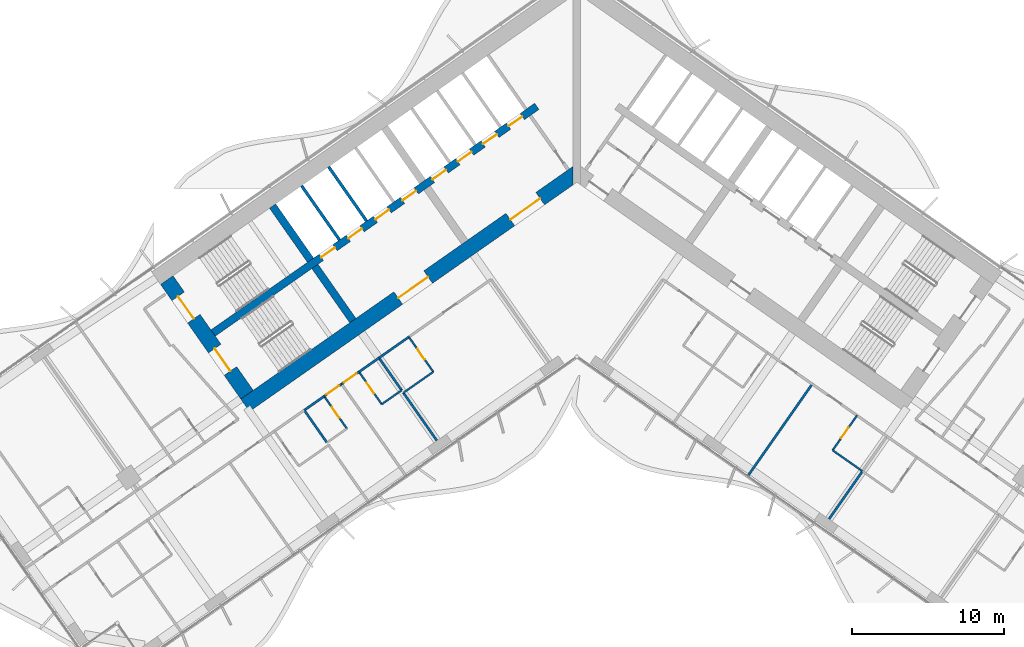
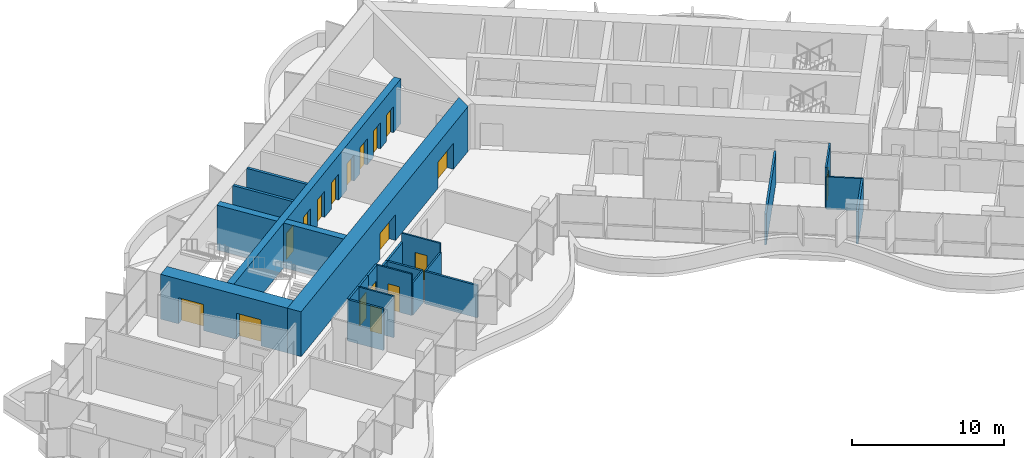
# One storey, part 13 of 23: 24 walls, 18 doors, 18 openings.
"""IFC4 building model written with IfcOpenShell, lengths in metres."""

from ifc_helpers import new_model, si_unit, direction, frame, frame_2d, origin, place, context, subcontext, project, spatial, polyline, rectangle, outline, extrude, material, layer, layer_set, type_object, element, fill, save


model = new_model("IFC4")

# Units and contexts
model_context = context("Model", 3, precision=1e-05, world=origin(), true_north=direction((0.0, 1.0)))
body_context = subcontext(model_context, "Body", "Model", "MODEL_VIEW")
ifc_project = project(units=[si_unit("LENGTHUNIT", "METRE"), si_unit("AREAUNIT", "SQUARE_METRE"), si_unit("VOLUMEUNIT", "CUBIC_METRE"), si_unit("PLANEANGLEUNIT", "RADIAN"), si_unit("MASSUNIT", "GRAM", prefix="KILO")], contexts=[model_context])

# Site, building, storey
site_placement = place(None, origin())
site = spatial("IfcSite", under=ifc_project, at=site_placement, CompositionType="ELEMENT")
building_placement = place(site_placement, origin())
building = spatial("IfcBuilding", under=site, at=building_placement, Name="Tel Ilan Convention Tower", CompositionType="ELEMENT")
storey_placement = place(building_placement, frame((0.0, 0.0, 108.5)))
storey = spatial("IfcBuildingStorey", under=building, at=storey_placement, Name="L23", CompositionType="ELEMENT", Elevation=108.5)

# Wall, openings, doors
ifc_material_1 = material(Name="Concrete C60/75", Category="concrete")
ifc_layer_1 = layer(ifc_material_1, 1.0)
ifc_layer_set_1 = layer_set([ifc_layer_1], Name="Core Shear Wall 1000 mm C60/75")
wall_type_1 = type_object("IfcWallType", Name="Core Shear Wall 1000 mm C60/75", PredefinedType="SHEAR", material=ifc_layer_set_1)
wall_1_placement = place(storey_placement, frame((0.036865234375, -0.584716796875, 0.0), z_axis=(0.0, 0.0, 1.0), x_axis=(-0.819157152511, -0.573569140985, 0.0)))
wall_1 = element("IfcWall", 1, at=wall_1_placement, inside=storey, type_object=wall_type_1, Name="L23 core wall W-front", PredefinedType="SHEAR", context=body_context, shape_type="SweptSolid", body=[
    extrude(outline(polyline([(26.69482421875, 0.500244140625), (0.7001953125, 0.499755859375), (0.0, -0.5), (26.69482421875, -0.499755859375), (26.69482421875, 0.500244140625)])), origin(), (0.0, 0.0, 1.0), 3.60009765625),
])
opening_1_placement = place(wall_1_placement, frame((2.994873046875, 0.0, 0.0)))
opening_1 = element("IfcOpeningElement", 2, at=opening_1_placement, cuts=wall_1, Name="Opening CD1905", PredefinedType="OPENING", context=body_context, shape_type="SweptSolid", body=[
    extrude(rectangle(XDim=2.39990234375, YDim=2.10009765625, at=frame_2d((1.199951171875, 1.050048828125))), frame((0.0, 0.510009765625, 0.0), z_axis=(0.0, -1.0, 0.0), x_axis=(1.0, 0.0, 0.0)), (0.0, 0.0, 1.0), 1.02001953125),
])
opening_2_placement = place(wall_1_placement, frame((11.994873046875, 0.0, 0.0)))
opening_2 = element("IfcOpeningElement", 3, at=opening_2_placement, cuts=wall_1, Name="Opening CD1906", PredefinedType="OPENING", context=body_context, shape_type="SweptSolid", body=[
    extrude(rectangle(XDim=2.39990234375, YDim=2.10009765625, at=frame_2d((1.199951171875, 1.050048828125))), frame((0.0, 0.510009765625, 0.0), z_axis=(0.0, -1.0, 0.0), x_axis=(1.0, 0.0, 0.0)), (0.0, 0.0, 1.0), 1.02001953125),
])
ifc_material_2 = material(Name="Glazed Aluminium Door Leaf", Category="aluminium")
door_type_1 = type_object("IfcDoorType", Name="Lobby Opening Door 2400 x 2100 FD60S", OperationType="NOTDEFINED", PredefinedType="DOOR", material=ifc_material_2)
door_1_placement = place(opening_1_placement, origin())
door_1 = element("IfcDoor", 4, at=door_1_placement, inside=storey, type_object=door_type_1, Name="Lift Lobby LR1-LR4 opening", OperationType="DOUBLE_DOOR_SINGLE_SWING", OverallHeight=2.10009765625, OverallWidth=2.39990234375, PredefinedType="DOOR", context=body_context, shape_type="SweptSolid", body=[
    extrude(rectangle(XDim=2.39990234375, YDim=2.10009765625, at=frame_2d((1.199951171875, 1.050048828125))), frame((0.0, 0.02490234375, 0.0), z_axis=(0.0, -1.0, 0.0), x_axis=(1.0, 0.0, 0.0)), (0.0, 0.0, 1.0), 0.050048828125),
])
fill(opening_1, door_1)
door_2_placement = place(opening_2_placement, origin())
door_2 = element("IfcDoor", 5, at=door_2_placement, inside=storey, type_object=door_type_1, Name="Lift Lobby LR5-LR8 opening", OperationType="DOUBLE_DOOR_SINGLE_SWING", OverallHeight=2.10009765625, OverallWidth=2.39990234375, PredefinedType="DOOR", context=body_context, shape_type="SweptSolid", body=[
    extrude(rectangle(XDim=2.39990234375, YDim=2.10009765625, at=frame_2d((1.199951171875, 1.050048828125))), frame((0.0, 0.02490234375, 0.0), z_axis=(0.0, -1.0, 0.0), x_axis=(1.0, 0.0, 0.0)), (0.0, 0.0, 1.0), 0.050048828125),
])
fill(opening_2, door_2)

wall_2_placement = place(storey_placement, frame((-21.70751953125, -15.19970703125, 0.0), z_axis=(0.0, 0.0, 1.0), x_axis=(-0.573576324356, 0.819152122709, 0.0)))
wall_2 = element("IfcWall", 6, at=wall_2_placement, inside=storey, type_object=wall_type_1, Name="L23 core wall W-end", PredefinedType="SHEAR", context=body_context, shape_type="SweptSolid", body=[
    extrude(outline(polyline([(0.0, 0.5), (0.0, -0.5), (9.199951171875, -0.5), (9.199951171875, 0.5), (0.0, 0.5)])), origin(), (0.0, 0.0, 1.0), 3.60009765625),
])
opening_3_placement = place(wall_2_placement, frame((6.10009765625, 0.0, 0.0)))
opening_3 = element("IfcOpeningElement", 7, at=opening_3_placement, cuts=wall_2, Name="Opening SD1901", PredefinedType="OPENING", context=body_context, shape_type="SweptSolid", body=[
    extrude(rectangle(XDim=1.800048828125, YDim=2.10009765625, at=frame_2d((0.89990234375, 1.050048828125))), frame((0.0, 0.510009765625, 0.0), z_axis=(0.0, -1.0, 0.0), x_axis=(1.0, 0.0, 0.0)), (0.0, 0.0, 1.0), 1.02001953125),
])
opening_4_placement = place(wall_2_placement, frame((1.89990234375, 0.0, 0.0)))
opening_4 = element("IfcOpeningElement", 8, at=opening_4_placement, cuts=wall_2, Name="Opening SD1902", PredefinedType="OPENING", context=body_context, shape_type="SweptSolid", body=[
    extrude(rectangle(XDim=1.800048828125, YDim=2.10009765625, at=frame_2d((0.89990234375, 1.050048828125))), frame((0.0, 0.510009765625, 0.0), z_axis=(0.0, -1.0, 0.0), x_axis=(1.0, 0.0, 0.0)), (0.0, 0.0, 1.0), 1.02001953125),
])
ifc_material_3 = material(Name="Galvanised Steel Door Leaf", Category="steel")
door_type_2 = type_object("IfcDoorType", Name="Stair Fire Door 1800 x 2100 FD60S", OperationType="NOTDEFINED", PredefinedType="DOOR", material=ifc_material_3)
door_3_placement = place(opening_3_placement, origin())
door_3 = element("IfcDoor", 9, at=door_3_placement, inside=storey, type_object=door_type_2, Name="Stair S1 door", OperationType="DOUBLE_DOOR_SINGLE_SWING", OverallHeight=2.10009765625, OverallWidth=1.800048828125, PredefinedType="DOOR", context=body_context, shape_type="SweptSolid", body=[
    extrude(rectangle(XDim=1.800048828125, YDim=2.10009765625, at=frame_2d((0.89990234375, 1.050048828125))), frame((0.0, 0.02490234375, 0.0), z_axis=(0.0, -1.0, 0.0), x_axis=(1.0, 0.0, 0.0)), (0.0, 0.0, 1.0), 0.050048828125),
])
fill(opening_3, door_3)
door_4_placement = place(opening_4_placement, origin())
door_4 = element("IfcDoor", 10, at=door_4_placement, inside=storey, type_object=door_type_2, Name="Stair S2 door", OperationType="DOUBLE_DOOR_SINGLE_SWING", OverallHeight=2.10009765625, OverallWidth=1.800048828125, PredefinedType="DOOR", context=body_context, shape_type="SweptSolid", body=[
    extrude(rectangle(XDim=1.800048828125, YDim=2.10009765625, at=frame_2d((0.89990234375, 1.050048828125))), frame((0.0, 0.02490234375, 0.0), z_axis=(0.0, -1.0, 0.0), x_axis=(1.0, 0.0, 0.0)), (0.0, 0.0, 1.0), 0.050048828125),
])
fill(opening_4, door_4)

# Walls
ifc_material_4 = material(Name="Concrete C60/75", Category="concrete")
ifc_layer_2 = layer(ifc_material_4, 0.5)
ifc_layer_set_2 = layer_set([ifc_layer_2], Name="Core Shear Wall 500 mm C60/75")
wall_type_2 = type_object("IfcWallType", Name="Core Shear Wall 500 mm C60/75", PredefinedType="SHEAR", material=ifc_layer_set_2)
wall_3_placement = place(storey_placement, frame((-14.74462890625, -10.324462890625, 0.0), z_axis=(0.0, 0.0, 1.0), x_axis=(-0.57356780395, 0.819158088694, 0.0)))
element("IfcWall", 11, at=wall_3_placement, inside=storey, type_object=wall_type_2, Name="L23 core wall W-cross2-1", PredefinedType="SHEAR", context=body_context, shape_type="SweptSolid", body=[
    extrude(outline(polyline([(4.35009765625, 0.250244140625), (0.0, 0.25), (0.0, -0.25), (4.35009765625, -0.25), (4.35009765625, 0.250244140625)])), origin(), (0.0, 0.0, 1.0), 3.60009765625),
])
wall_4_placement = place(storey_placement, frame((-17.526611328125, -6.3515625, 0.0), z_axis=(0.0, 0.0, 1.0), x_axis=(-0.573530143085, 0.819184457233, 0.0)))
element("IfcWall", 12, at=wall_4_placement, inside=storey, type_object=wall_type_2, Name="L23 core wall W-cross2-2", PredefinedType="SHEAR", context=body_context, shape_type="SweptSolid", body=[
    extrude(outline(polyline([(4.35009765625, -0.249755859375), (4.35009765625, 0.250244140625), (0.0, 0.25), (0.0, -0.25), (4.35009765625, -0.249755859375)])), origin(), (0.0, 0.0, 1.0), 3.60009765625),
])

# Wall, openings, doors
wall_5_placement = place(storey_placement, frame((-2.638427734375, 3.76806640625, 0.0), z_axis=(0.0, 0.0, 1.0), x_axis=(-0.819148977158, -0.573580816643, 0.0)))
wall_5 = element("IfcWall", 13, at=wall_5_placement, inside=storey, type_object=wall_type_2, Name="L23 core wall W-spine", PredefinedType="SHEAR", context=body_context, shape_type="SweptSolid", body=[
    extrude(outline(polyline([(26.0, 0.249755859375), (0.0, 0.25), (0.0, -0.25), (26.0, -0.250244140625), (26.0, 0.249755859375)])), origin(), (0.0, 0.0, 1.0), 3.60009765625),
])
opening_5_placement = place(wall_5_placement, frame((1.168701171875, 0.0, 0.0)))
opening_5 = element("IfcOpeningElement", 14, at=opening_5_placement, cuts=wall_5, Name="Opening LD1904", PredefinedType="OPENING", context=body_context, shape_type="SweptSolid", body=[
    extrude(rectangle(XDim=1.10009765625, YDim=2.10009765625, at=frame_2d((0.550048828125, 1.050048828125))), frame((0.0, 0.260009765625, 0.0), z_axis=(0.0, -1.0, 0.0), x_axis=(1.0, 0.0, 0.0)), (0.0, 0.0, 1.0), 0.52001953125),
])
opening_6_placement = place(wall_5_placement, frame((3.206298828125, 0.0, 0.0)))
opening_6 = element("IfcOpeningElement", 15, at=opening_6_placement, cuts=wall_5, Name="Opening LD1905", PredefinedType="OPENING", context=body_context, shape_type="SweptSolid", body=[
    extrude(rectangle(XDim=1.10009765625, YDim=2.10009765625, at=frame_2d((0.550048828125, 1.050048828125))), frame((0.0, 0.260009765625, 0.0), z_axis=(0.0, -1.0, 0.0), x_axis=(1.0, 0.0, 0.0)), (0.0, 0.0, 1.0), 0.52001953125),
])
opening_7_placement = place(wall_5_placement, frame((5.24365234375, 0.0, 0.0)))
opening_7 = element("IfcOpeningElement", 16, at=opening_7_placement, cuts=wall_5, Name="Opening LD1906", PredefinedType="OPENING", context=body_context, shape_type="SweptSolid", body=[
    extrude(rectangle(XDim=1.10009765625, YDim=2.10009765625, at=frame_2d((0.550048828125, 1.050048828125))), frame((0.0, 0.260009765625, 0.0), z_axis=(0.0, -1.0, 0.0), x_axis=(1.0, 0.0, 0.0)), (0.0, 0.0, 1.0), 0.52001953125),
])
opening_8_placement = place(wall_5_placement, frame((7.28125, 0.0, 0.0)))
opening_8 = element("IfcOpeningElement", 17, at=opening_8_placement, cuts=wall_5, Name="Opening LD1907", PredefinedType="OPENING", context=body_context, shape_type="SweptSolid", body=[
    extrude(rectangle(XDim=1.10009765625, YDim=2.10009765625, at=frame_2d((0.550048828125, 1.050048828125))), frame((0.0, 0.260009765625, 0.0), z_axis=(0.0, -1.0, 0.0), x_axis=(1.0, 0.0, 0.0)), (0.0, 0.0, 1.0), 0.52001953125),
])
opening_9_placement = place(wall_5_placement, frame((9.6875, 0.0, 0.0)))
opening_9 = element("IfcOpeningElement", 18, at=opening_9_placement, cuts=wall_5, Name="Opening LD1908", PredefinedType="OPENING", context=body_context, shape_type="SweptSolid", body=[
    extrude(rectangle(XDim=1.10009765625, YDim=2.10009765625, at=frame_2d((0.550048828125, 1.050048828125))), frame((0.0, 0.260009765625, 0.0), z_axis=(0.0, -1.0, 0.0), x_axis=(1.0, 0.0, 0.0)), (0.0, 0.0, 1.0), 0.52001953125),
])
opening_10_placement = place(wall_5_placement, frame((11.862548828125, 0.0, 0.0)))
opening_10 = element("IfcOpeningElement", 19, at=opening_10_placement, cuts=wall_5, Name="Opening LD1909", PredefinedType="OPENING", context=body_context, shape_type="SweptSolid", body=[
    extrude(rectangle(XDim=1.10009765625, YDim=2.10009765625, at=frame_2d((0.550048828125, 1.050048828125))), frame((0.0, 0.260009765625, 0.0), z_axis=(0.0, -1.0, 0.0), x_axis=(1.0, 0.0, 0.0)), (0.0, 0.0, 1.0), 0.52001953125),
])
opening_11_placement = place(wall_5_placement, frame((14.03759765625, 0.0, 0.0)))
opening_11 = element("IfcOpeningElement", 20, at=opening_11_placement, cuts=wall_5, Name="Opening LD1910", PredefinedType="OPENING", context=body_context, shape_type="SweptSolid", body=[
    extrude(rectangle(XDim=1.10009765625, YDim=2.10009765625, at=frame_2d((0.550048828125, 1.050048828125))), frame((0.0, 0.260009765625, 0.0), z_axis=(0.0, -1.0, 0.0), x_axis=(1.0, 0.0, 0.0)), (0.0, 0.0, 1.0), 0.52001953125),
])
opening_12_placement = place(wall_5_placement, frame((16.21240234375, 0.0, 0.0)))
opening_12 = element("IfcOpeningElement", 21, at=opening_12_placement, cuts=wall_5, Name="Opening LD1911", PredefinedType="OPENING", context=body_context, shape_type="SweptSolid", body=[
    extrude(rectangle(XDim=1.10009765625, YDim=2.10009765625, at=frame_2d((0.550048828125, 1.050048828125))), frame((0.0, 0.260009765625, 0.0), z_axis=(0.0, -1.0, 0.0), x_axis=(1.0, 0.0, 0.0)), (0.0, 0.0, 1.0), 0.52001953125),
])
ifc_material_5 = material(Name="Stainless Steel Sliding Door Leaf", Category="steel")
door_type_3 = type_object("IfcDoorType", Name="Lift Landing Door 1100 x 2100 FD120", OperationType="NOTDEFINED", PredefinedType="DOOR", material=ifc_material_5)
door_5_placement = place(opening_5_placement, origin())
door_5 = element("IfcDoor", 22, at=door_5_placement, inside=storey, type_object=door_type_3, Name="Lift LR1 landing door", OperationType="SLIDING_TO_LEFT", OverallHeight=2.10009765625, OverallWidth=1.10009765625, PredefinedType="DOOR", context=body_context, shape_type="SweptSolid", body=[
    extrude(rectangle(XDim=1.10009765625, YDim=2.10009765625, at=frame_2d((0.550048828125, 1.050048828125))), frame((0.0, 0.02490234375, 0.0), z_axis=(0.0, -1.0, 0.0), x_axis=(1.0, 0.0, 0.0)), (0.0, 0.0, 1.0), 0.050048828125),
])
fill(opening_5, door_5)
door_6_placement = place(opening_6_placement, origin())
door_6 = element("IfcDoor", 23, at=door_6_placement, inside=storey, type_object=door_type_3, Name="Lift LR2 landing door", OperationType="SLIDING_TO_RIGHT", OverallHeight=2.10009765625, OverallWidth=1.10009765625, PredefinedType="DOOR", context=body_context, shape_type="SweptSolid", body=[
    extrude(rectangle(XDim=1.10009765625, YDim=2.10009765625, at=frame_2d((0.550048828125, 1.050048828125))), frame((0.0, 0.02490234375, 0.0), z_axis=(0.0, -1.0, 0.0), x_axis=(1.0, 0.0, 0.0)), (0.0, 0.0, 1.0), 0.050048828125),
])
fill(opening_6, door_6)
door_7_placement = place(opening_7_placement, origin())
door_7 = element("IfcDoor", 24, at=door_7_placement, inside=storey, type_object=door_type_3, Name="Lift LR3 landing door", OperationType="SLIDING_TO_LEFT", OverallHeight=2.10009765625, OverallWidth=1.10009765625, PredefinedType="DOOR", context=body_context, shape_type="SweptSolid", body=[
    extrude(rectangle(XDim=1.10009765625, YDim=2.10009765625, at=frame_2d((0.550048828125, 1.050048828125))), frame((0.0, 0.02490234375, 0.0), z_axis=(0.0, -1.0, 0.0), x_axis=(1.0, 0.0, 0.0)), (0.0, 0.0, 1.0), 0.050048828125),
])
fill(opening_7, door_7)
door_8_placement = place(opening_8_placement, origin())
door_8 = element("IfcDoor", 25, at=door_8_placement, inside=storey, type_object=door_type_3, Name="Lift LR4 landing door", OperationType="SLIDING_TO_RIGHT", OverallHeight=2.10009765625, OverallWidth=1.10009765625, PredefinedType="DOOR", context=body_context, shape_type="SweptSolid", body=[
    extrude(rectangle(XDim=1.10009765625, YDim=2.10009765625, at=frame_2d((0.550048828125, 1.050048828125))), frame((0.0, 0.02490234375, 0.0), z_axis=(0.0, -1.0, 0.0), x_axis=(1.0, 0.0, 0.0)), (0.0, 0.0, 1.0), 0.050048828125),
])
fill(opening_8, door_8)
door_9_placement = place(opening_9_placement, origin())
door_9 = element("IfcDoor", 26, at=door_9_placement, inside=storey, type_object=door_type_3, Name="Lift LR5 landing door", OperationType="SLIDING_TO_LEFT", OverallHeight=2.10009765625, OverallWidth=1.10009765625, PredefinedType="DOOR", context=body_context, shape_type="SweptSolid", body=[
    extrude(rectangle(XDim=1.10009765625, YDim=2.10009765625, at=frame_2d((0.550048828125, 1.050048828125))), frame((0.0, 0.02490234375, 0.0), z_axis=(0.0, -1.0, 0.0), x_axis=(1.0, 0.0, 0.0)), (0.0, 0.0, 1.0), 0.050048828125),
])
fill(opening_9, door_9)
door_10_placement = place(opening_10_placement, origin())
door_10 = element("IfcDoor", 27, at=door_10_placement, inside=storey, type_object=door_type_3, Name="Lift LR6 landing door", OperationType="SLIDING_TO_RIGHT", OverallHeight=2.10009765625, OverallWidth=1.10009765625, PredefinedType="DOOR", context=body_context, shape_type="SweptSolid", body=[
    extrude(rectangle(XDim=1.10009765625, YDim=2.10009765625, at=frame_2d((0.550048828125, 1.050048828125))), frame((0.0, 0.02490234375, 0.0), z_axis=(0.0, -1.0, 0.0), x_axis=(1.0, 0.0, 0.0)), (0.0, 0.0, 1.0), 0.050048828125),
])
fill(opening_10, door_10)
door_11_placement = place(opening_11_placement, origin())
door_11 = element("IfcDoor", 28, at=door_11_placement, inside=storey, type_object=door_type_3, Name="Lift LR7 landing door", OperationType="SLIDING_TO_LEFT", OverallHeight=2.10009765625, OverallWidth=1.10009765625, PredefinedType="DOOR", context=body_context, shape_type="SweptSolid", body=[
    extrude(rectangle(XDim=1.10009765625, YDim=2.10009765625, at=frame_2d((0.550048828125, 1.050048828125))), frame((0.0, 0.02490234375, 0.0), z_axis=(0.0, -1.0, 0.0), x_axis=(1.0, 0.0, 0.0)), (0.0, 0.0, 1.0), 0.050048828125),
])
fill(opening_11, door_11)
door_12_placement = place(opening_12_placement, origin())
door_12 = element("IfcDoor", 29, at=door_12_placement, inside=storey, type_object=door_type_3, Name="Lift LR8 landing door", OperationType="SLIDING_TO_RIGHT", OverallHeight=2.10009765625, OverallWidth=1.10009765625, PredefinedType="DOOR", context=body_context, shape_type="SweptSolid", body=[
    extrude(rectangle(XDim=1.10009765625, YDim=2.10009765625, at=frame_2d((0.550048828125, 1.050048828125))), frame((0.0, 0.02490234375, 0.0), z_axis=(0.0, -1.0, 0.0), x_axis=(1.0, 0.0, 0.0)), (0.0, 0.0, 1.0), 0.050048828125),
])
fill(opening_12, door_12)

# Wall
ifc_material_6 = material(Name="Plasterboard on Steel Studs", Category="steel")
ifc_layer_3 = layer(ifc_material_6, 0.14990234375)
ifc_layer_set_3 = layer_set([ifc_layer_3], Name="Fire-rated Partition 150 EI 60")
wall_type_3 = type_object("IfcWallType", Name="Fire-rated Partition 150 EI 60", PredefinedType="PARTITIONING", material=ifc_layer_set_3)
wall_6_placement = place(storey_placement, frame((-11.056396484375, -11.404052734375, 0.0), z_axis=(0.0, 0.0, 1.0), x_axis=(-0.819146032251, -0.573585022335, 0.0)))
element("IfcWall", 30, at=wall_6_placement, inside=storey, type_object=wall_type_3, Name="Partition 023", PredefinedType="PARTITIONING", context=body_context, shape_type="SweptSolid", body=[
    extrude(rectangle(XDim=2.404052734375, YDim=0.14990234375, at=frame_2d((1.2021484375, 0.0))), origin(), (0.0, 0.0, 1.0), 2.60009765625),
])

# Wall, opening, door
wall_7_placement = place(storey_placement, frame((-14.333740234375, -13.698974609375, 0.0), z_axis=(0.0, 0.0, 1.0), x_axis=(-0.819199220913, -0.573509055252, 0.0)))
wall_7 = element("IfcWall", 31, at=wall_7_placement, inside=storey, type_object=wall_type_3, Name="Partition 024", PredefinedType="PARTITIONING", context=body_context, shape_type="SweptSolid", body=[
    extrude(rectangle(XDim=1.403076171875, YDim=0.14990234375, at=frame_2d((0.70166015625, 0.0))), origin(), (0.0, 0.0, 1.0), 3.320068359375),
])
opening_13_placement = place(wall_7_placement, frame((0.200927734375, 0.0, 0.0)))
opening_13 = element("IfcOpeningElement", 32, at=opening_13_placement, cuts=wall_7, Name="Opening L21-004", PredefinedType="OPENING", context=body_context, shape_type="SweptSolid", body=[
    extrude(rectangle(XDim=1.0, YDim=2.10009765625, at=frame_2d((0.5, 1.050048828125))), frame((0.0, 0.0849609375, 0.0), z_axis=(0.0, -1.0, 0.0), x_axis=(1.0, 0.0, 0.0)), (0.0, 0.0, 1.0), 0.169921875),
])
ifc_material_7 = material(Name="Timber Door Leaf in Steel Frame", Category="steel")
door_type_4 = type_object("IfcDoorType", Name="Hotel Room Entrance Fire Door 1000x2100", OperationType="NOTDEFINED", PredefinedType="DOOR", material=ifc_material_7)
door_13_placement = place(opening_13_placement, origin())
door_13 = element("IfcDoor", 33, at=door_13_placement, inside=storey, type_object=door_type_4, Name="Door L21-004", OperationType="SINGLE_SWING_LEFT", OverallHeight=2.10009765625, OverallWidth=1.0, PredefinedType="DOOR", context=body_context, shape_type="SweptSolid", body=[
    extrude(rectangle(XDim=1.0, YDim=2.10009765625, at=frame_2d((0.5, 1.050048828125))), frame((0.0, 0.02490234375, 0.0), z_axis=(0.0, -1.0, 0.0), x_axis=(1.0, 0.0, 0.0)), (0.0, 0.0, 1.0), 0.050048828125),
])
fill(opening_13, door_13)

# Wall
wall_8_placement = place(storey_placement, frame((-13.0224609375, -12.78076171875, 0.0), z_axis=(0.0, 0.0, 1.0), x_axis=(-0.819138938282, -0.573595153214, 0.0)))
element("IfcWall", 34, at=wall_8_placement, inside=storey, type_object=wall_type_3, Name="Partition 025", PredefinedType="PARTITIONING", context=body_context, shape_type="SweptSolid", body=[
    extrude(rectangle(XDim=1.603759765625, YDim=0.14990234375, at=frame_2d((0.8017578125, 0.0))), origin(), (0.0, 0.0, 1.0), 2.60009765625),
])

# Wall, opening, door
wall_9_placement = place(storey_placement, frame((-15.479736328125, -14.50146484375, 0.0), z_axis=(0.0, 0.0, 1.0), x_axis=(-0.819199220913, -0.573509055252, 0.0)))
wall_9 = element("IfcWall", 35, at=wall_9_placement, inside=storey, type_object=wall_type_3, Name="Partition 026", PredefinedType="PARTITIONING", context=body_context, shape_type="SweptSolid", body=[
    extrude(rectangle(XDim=1.403076171875, YDim=0.14990234375, at=frame_2d((0.70166015625, 0.0))), origin(), (0.0, 0.0, 1.0), 3.320068359375),
])
opening_14_placement = place(wall_9_placement, frame((0.201904296875, 0.0, 0.0)))
opening_14 = element("IfcOpeningElement", 36, at=opening_14_placement, cuts=wall_9, Name="Opening L21-006", PredefinedType="OPENING", context=body_context, shape_type="SweptSolid", body=[
    extrude(rectangle(XDim=1.0, YDim=2.10009765625, at=frame_2d((0.5, 1.050048828125))), frame((0.0, 0.0849609375, 0.0), z_axis=(0.0, -1.0, 0.0), x_axis=(1.0, 0.0, 0.0)), (0.0, 0.0, 1.0), 0.169921875),
])
door_14_placement = place(opening_14_placement, origin())
door_14 = element("IfcDoor", 37, at=door_14_placement, inside=storey, type_object=door_type_4, Name="Door L21-006", OperationType="SINGLE_SWING_LEFT", OverallHeight=2.10009765625, OverallWidth=1.0, PredefinedType="DOOR", context=body_context, shape_type="SweptSolid", body=[
    extrude(rectangle(XDim=1.0, YDim=2.10009765625, at=frame_2d((0.5, 1.050048828125))), frame((0.0, 0.02490234375, 0.0), z_axis=(0.0, -1.0, 0.0), x_axis=(1.0, 0.0, 0.0)), (0.0, 0.0, 1.0), 0.050048828125),
])
fill(opening_14, door_14)

# Walls
wall_10_placement = place(storey_placement, frame((-16.626708984375, -15.304443359375, 0.0), z_axis=(0.0, 0.0, 1.0), x_axis=(-0.819189013667, -0.573523634986, 0.0)))
element("IfcWall", 38, at=wall_10_placement, inside=storey, type_object=wall_type_3, Name="Partition 027", PredefinedType="PARTITIONING", context=body_context, shape_type="SweptSolid", body=[
    extrude(rectangle(XDim=1.60400390625, YDim=0.14990234375, at=frame_2d((0.802001953125, 0.0))), origin(), (0.0, 0.0, 1.0), 3.320068359375),
])
wall_11_placement = place(storey_placement, frame((15.4814453125, -14.502685546875, 0.0), z_axis=(0.0, 0.0, 1.0), x_axis=(-0.573572324301, -0.819154923562, 0.0)))
element("IfcWall", 39, at=wall_11_placement, inside=storey, type_object=wall_type_3, Name="Partition 051", PredefinedType="PARTITIONING", context=body_context, shape_type="SweptSolid", body=[
    extrude(rectangle(XDim=7.2998046875, YDim=0.14990234375, at=frame_2d((3.64990234375, 0.0))), origin(), (0.0, 0.0, 1.0), 2.5),
])
for number, where, z_axis, x_axis, name in (
    (40, (18.789794921875, -20.238525390625, 0.0), (0.0, 0.0, 1.0), (-0.573594994199, -0.819139049631, 0.0), "Partition 054"),
    (41, (-9.22119140625, -18.212890625, 0.0), (0.0, 0.0, 1.0), (-0.573594994199, 0.819139049631, 0.0), "Partition 078"),
):
    element("IfcWall", number, at=place(storey_placement, frame(where, z_axis=z_axis, x_axis=x_axis)), inside=storey, type_object=wall_type_3, Name=name, PredefinedType="PARTITIONING", context=body_context, shape_type="SweptSolid", body=[
        extrude(rectangle(XDim=3.8291015625, YDim=0.14990234375, at=frame_2d((1.91455078125, 0.0))), origin(), (0.0, 0.0, 1.0), 2.60009765625),
    ])
wall_12_placement = place(storey_placement, frame((-11.531494140625, -14.913330078125, 0.0), z_axis=(0.0, 0.0, 1.0), x_axis=(-0.573544201094, 0.819174614714, 0.0)))
element("IfcWall", 42, at=wall_12_placement, inside=storey, type_object=wall_type_3, Name="Partition 079", PredefinedType="PARTITIONING", context=body_context, shape_type="SweptSolid", body=[
    extrude(rectangle(XDim=2.60205078125, YDim=0.14990234375, at=frame_2d((1.301025390625, 0.0))), origin(), (0.0, 0.0, 1.0), 2.60009765625),
])
wall_13_placement = place(storey_placement, frame((-16.447509765625, -18.35302734375, 0.0), z_axis=(0.0, 0.0, 1.0), x_axis=(-0.573645091666, 0.819103967032, 0.0)))
element("IfcWall", 43, at=wall_13_placement, inside=storey, type_object=wall_type_3, Name="Partition 086", PredefinedType="PARTITIONING", context=body_context, shape_type="SweptSolid", body=[
    extrude(rectangle(XDim=2.599853515625, YDim=0.14990234375, at=frame_2d((1.2998046875, 0.0))), origin(), (0.0, 0.0, 1.0), 3.320068359375),
])
ifc_material_8 = material(Name="Concrete C30/37", Category="concrete")
ifc_layer_4 = layer(ifc_material_8, 0.199951171875)
ifc_layer_set_4 = layer_set([ifc_layer_4], Name="Lift Shaft Wall 200 mm C30/37")
wall_type_4 = type_object("IfcWallType", Name="Lift Shaft Wall 200 mm C30/37", PredefinedType="SOLIDWALL", material=ifc_layer_set_4)
wall_14_placement = place(storey_placement, frame((-13.84033203125, -3.7705078125, 0.0), z_axis=(0.0, 0.0, 1.0), x_axis=(-0.57356780395, 0.819158088694, 0.0)))
element("IfcWall", 44, at=wall_14_placement, inside=storey, type_object=wall_type_4, Name="L23 core wall bank-W2-p1", PredefinedType="SOLIDWALL", context=body_context, shape_type="SweptSolid", body=[
    extrude(rectangle(XDim=4.35009765625, YDim=0.199951171875, at=frame_2d((2.175048828125, 0.0))), origin(), (0.0, 0.0, 1.0), 3.60009765625),
])
wall_15_placement = place(storey_placement, frame((-15.6220703125, -5.017822265625, 0.0), z_axis=(0.0, 0.0, 1.0), x_axis=(-0.573594173421, 0.819139624372, 0.0)))
element("IfcWall", 45, at=wall_15_placement, inside=storey, type_object=wall_type_4, Name="L23 core wall bank-W2-p2", PredefinedType="SOLIDWALL", context=body_context, shape_type="SweptSolid", body=[
    extrude(rectangle(XDim=4.349853515625, YDim=0.199951171875, at=frame_2d((2.1748046875, 0.0))), origin(), (0.0, 0.0, 1.0), 3.60009765625),
])

# Wall, opening, door
ifc_material_9 = material(Name="Plasterboard on Steel Studs", Category="steel")
ifc_layer_5 = layer(ifc_material_9, 0.1201171875)
ifc_layer_set_5 = layer_set([ifc_layer_5], Name="Moisture-resistant Partition 120")
wall_type_5 = type_object("IfcWallType", Name="Moisture-resistant Partition 120", PredefinedType="PARTITIONING", material=ifc_layer_set_5)
wall_16_placement = place(storey_placement, frame((18.4296875, -16.56689453125, 0.0), z_axis=(0.0, 0.0, 1.0), x_axis=(-0.573608623498, -0.819129505664, 0.0)))
wall_16 = element("IfcWall", 46, at=wall_16_placement, inside=storey, type_object=wall_type_5, Name="Partition 052", PredefinedType="PARTITIONING", context=body_context, shape_type="SweptSolid", body=[
    extrude(rectangle(XDim=2.800048828125, YDim=0.1201171875, at=frame_2d((1.39990234375, 0.0))), origin(), (0.0, 0.0, 1.0), 3.320068359375),
])
opening_15_placement = place(wall_16_placement, frame((0.97509765625, 0.0, 0.0)))
opening_15 = element("IfcOpeningElement", 47, at=opening_15_placement, cuts=wall_16, Name="Opening L21-023", PredefinedType="OPENING", context=body_context, shape_type="SweptSolid", body=[
    extrude(rectangle(XDim=0.85009765625, YDim=2.050048828125, at=frame_2d((0.425048828125, 1.02490234375))), frame((0.0, 0.070068359375, 0.0), z_axis=(0.0, -1.0, 0.0), x_axis=(1.0, 0.0, 0.0)), (0.0, 0.0, 1.0), 0.14013671875),
])
ifc_material_10 = material(Name="Timber Door Leaf in Steel Frame", Category="steel")
door_type_5 = type_object("IfcDoorType", Name="Bathroom Timber Door 850x2050", OperationType="NOTDEFINED", PredefinedType="DOOR", material=ifc_material_10)
door_15_placement = place(opening_15_placement, origin())
door_15 = element("IfcDoor", 48, at=door_15_placement, inside=storey, type_object=door_type_5, Name="Door L21-023", OperationType="SINGLE_SWING_LEFT", OverallHeight=2.050048828125, OverallWidth=0.85009765625, PredefinedType="DOOR", context=body_context, shape_type="SweptSolid", body=[
    extrude(rectangle(XDim=0.85009765625, YDim=2.050048828125, at=frame_2d((0.425048828125, 1.02490234375))), frame((0.0, 0.02490234375, 0.0), z_axis=(0.0, -1.0, 0.0), x_axis=(1.0, 0.0, 0.0)), (0.0, 0.0, 1.0), 0.050048828125),
])
fill(opening_15, door_15)

# Walls
for number, where, z_axis, x_axis, name in (
    (49, (16.82373046875, -18.86181640625, 0.0), (0.0, 0.0, 1.0), (0.819141114317, -0.573592045652, 0.0), "Partition 053"),
    (50, (-11.41748046875, -15.076416015625, 0.0), (0.0, 0.0, 1.0), (0.819141114317, 0.573592045652, 0.0), "Partition 076"),
):
    element("IfcWall", number, at=place(storey_placement, frame(where, z_axis=z_axis, x_axis=x_axis)), inside=storey, type_object=wall_type_5, Name=name, PredefinedType="PARTITIONING", context=body_context, shape_type="SweptSolid", body=[
        extrude(rectangle(XDim=2.400146484375, YDim=0.1201171875, at=frame_2d((1.2001953125, 0.0))), origin(), (0.0, 0.0, 1.0), 2.60009765625),
    ])

# Wall, opening, door
wall_17_placement = place(storey_placement, frame((-9.451171875, -13.6982421875, 0.0), z_axis=(0.0, 0.0, 1.0), x_axis=(-0.573591086599, 0.819141785879, 0.0)))
wall_17 = element("IfcWall", 51, at=wall_17_placement, inside=storey, type_object=wall_type_5, Name="Partition 077", PredefinedType="PARTITIONING", context=body_context, shape_type="SweptSolid", body=[
    extrude(rectangle(XDim=2.7998046875, YDim=0.1201171875, at=frame_2d((1.39990234375, 0.0))), origin(), (0.0, 0.0, 1.0), 3.320068359375),
])
opening_16_placement = place(wall_17_placement, frame((0.97509765625, 0.0, 0.0)))
opening_16 = element("IfcOpeningElement", 52, at=opening_16_placement, cuts=wall_17, Name="Opening L21-001", PredefinedType="OPENING", context=body_context, shape_type="SweptSolid", body=[
    extrude(rectangle(XDim=0.85009765625, YDim=2.050048828125, at=frame_2d((0.425048828125, 1.02490234375))), frame((0.0, 0.070068359375, 0.0), z_axis=(0.0, -1.0, 0.0), x_axis=(1.0, 0.0, 0.0)), (0.0, 0.0, 1.0), 0.14013671875),
])
door_16_placement = place(opening_16_placement, origin())
door_16 = element("IfcDoor", 53, at=door_16_placement, inside=storey, type_object=door_type_5, Name="Door L21-001", OperationType="SINGLE_SWING_LEFT", OverallHeight=2.050048828125, OverallWidth=0.85009765625, PredefinedType="DOOR", context=body_context, shape_type="SweptSolid", body=[
    extrude(rectangle(XDim=0.85009765625, YDim=2.050048828125, at=frame_2d((0.425048828125, 1.02490234375))), frame((0.0, 0.02490234375, 0.0), z_axis=(0.0, -1.0, 0.0), x_axis=(1.0, 0.0, 0.0)), (0.0, 0.0, 1.0), 0.050048828125),
])
fill(opening_16, door_16)

wall_18_placement = place(storey_placement, frame((-14.33544921875, -13.7001953125, 0.0), z_axis=(0.0, 0.0, 1.0), x_axis=(0.573582085028, -0.819148089014, 0.0)))
wall_18 = element("IfcWall", 54, at=wall_18_placement, inside=storey, type_object=wall_type_5, Name="Partition 080", PredefinedType="PARTITIONING", context=body_context, shape_type="SweptSolid", body=[
    extrude(rectangle(XDim=2.599853515625, YDim=0.1201171875, at=frame_2d((1.2998046875, 0.0))), origin(), (0.0, 0.0, 1.0), 3.320068359375),
])
opening_17_placement = place(wall_18_placement, frame((0.875, 0.0, 0.0)))
opening_17 = element("IfcOpeningElement", 55, at=opening_17_placement, cuts=wall_18, Name="Opening L21-003", PredefinedType="OPENING", context=body_context, shape_type="SweptSolid", body=[
    extrude(rectangle(XDim=0.85009765625, YDim=2.050048828125, at=frame_2d((0.425048828125, 1.02490234375))), frame((0.0, 0.070068359375, 0.0), z_axis=(0.0, -1.0, 0.0), x_axis=(1.0, 0.0, 0.0)), (0.0, 0.0, 1.0), 0.14013671875),
])
door_17_placement = place(opening_17_placement, origin())
door_17 = element("IfcDoor", 56, at=door_17_placement, inside=storey, type_object=door_type_5, Name="Door L21-003", OperationType="SINGLE_SWING_RIGHT", OverallHeight=2.050048828125, OverallWidth=0.85009765625, PredefinedType="DOOR", context=body_context, shape_type="SweptSolid", body=[
    extrude(rectangle(XDim=0.85009765625, YDim=2.050048828125, at=frame_2d((0.425048828125, 1.02490234375))), frame((0.0, 0.02490234375, 0.0), z_axis=(0.0, -1.0, 0.0), x_axis=(1.0, 0.0, 0.0)), (0.0, 0.0, 1.0), 0.050048828125),
])
fill(opening_17, door_17)

# Wall
wall_19_placement = place(storey_placement, frame((-12.8427734375, -15.830078125, 0.0), z_axis=(0.0, 0.0, 1.0), x_axis=(0.81918174131, 0.573534022273, 0.0)))
element("IfcWall", 57, at=wall_19_placement, inside=storey, type_object=wall_type_5, Name="Partition 081", PredefinedType="PARTITIONING", context=body_context, shape_type="SweptSolid", body=[
    extrude(rectangle(XDim=1.60009765625, YDim=0.1201171875, at=frame_2d((0.800048828125, 0.0))), origin(), (0.0, 0.0, 1.0), 2.60009765625),
])

# Wall, opening, door
wall_20_placement = place(storey_placement, frame((-15.13623046875, -17.434814453125, 0.0), z_axis=(0.0, 0.0, 1.0), x_axis=(-0.573537965655, 0.819178980414, 0.0)))
wall_20 = element("IfcWall", 58, at=wall_20_placement, inside=storey, type_object=wall_type_5, Name="Partition 084", PredefinedType="PARTITIONING", context=body_context, shape_type="SweptSolid", body=[
    extrude(rectangle(XDim=2.60009765625, YDim=0.1201171875, at=frame_2d((1.300048828125, 0.0))), origin(), (0.0, 0.0, 1.0), 3.320068359375),
])
opening_18_placement = place(wall_20_placement, frame((0.875, 0.0, 0.0)))
opening_18 = element("IfcOpeningElement", 59, at=opening_18_placement, cuts=wall_20, Name="Opening L21-005", PredefinedType="OPENING", context=body_context, shape_type="SweptSolid", body=[
    extrude(rectangle(XDim=0.85009765625, YDim=2.050048828125, at=frame_2d((0.425048828125, 1.02490234375))), frame((0.0, 0.070068359375, 0.0), z_axis=(0.0, -1.0, 0.0), x_axis=(1.0, 0.0, 0.0)), (0.0, 0.0, 1.0), 0.14013671875),
])
door_18_placement = place(opening_18_placement, origin())
door_18 = element("IfcDoor", 60, at=door_18_placement, inside=storey, type_object=door_type_5, Name="Door L21-005", OperationType="SINGLE_SWING_RIGHT", OverallHeight=2.050048828125, OverallWidth=0.85009765625, PredefinedType="DOOR", context=body_context, shape_type="SweptSolid", body=[
    extrude(rectangle(XDim=0.85009765625, YDim=2.050048828125, at=frame_2d((0.425048828125, 1.02490234375))), frame((0.0, 0.02490234375, 0.0), z_axis=(0.0, -1.0, 0.0), x_axis=(1.0, 0.0, 0.0)), (0.0, 0.0, 1.0), 0.050048828125),
])
fill(opening_18, door_18)

save(model, "model.ifc")
